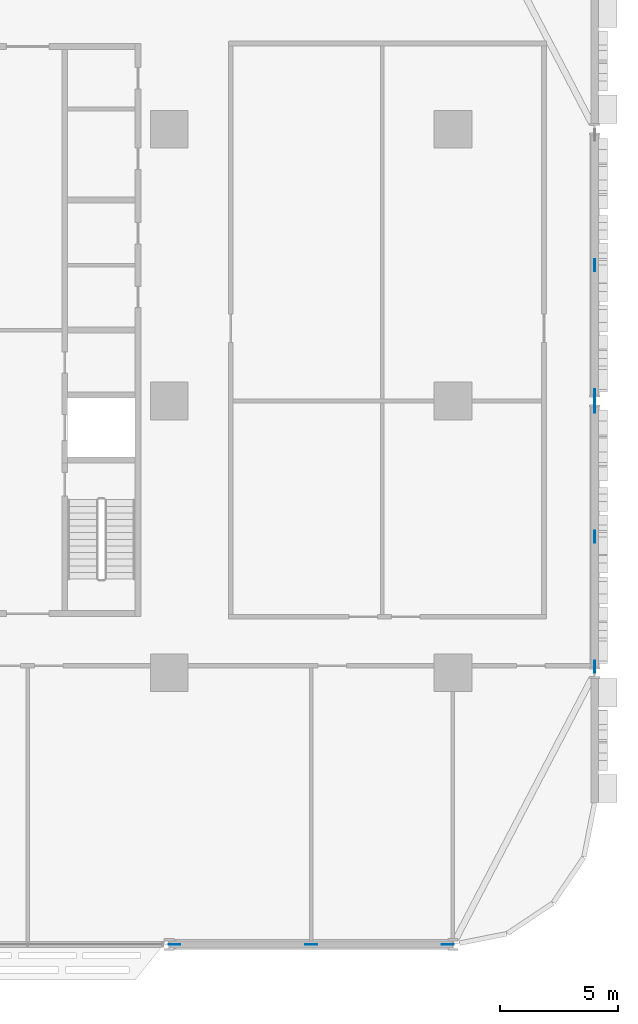
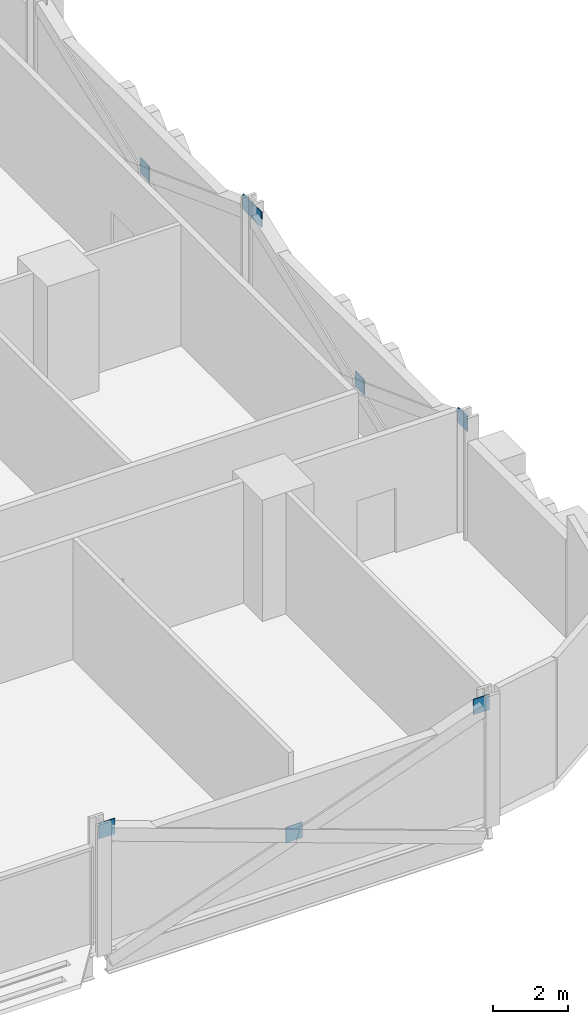
# One storey, part 21 of 29: 8 discrete accessories.
"""IFC4 building model written with IfcOpenShell, lengths in metres."""

from ifc_helpers import new_model, si_unit, direction, frame, origin, origin_2d, place, context, subcontext, project, spatial, rectangle, extrude, material, layer, layer_set, type_object, element, save


model = new_model("IFC4")

# Units and contexts
model_context = context("Model", 3, precision=1e-05, world=origin(), true_north=direction((0.0, 1.0)))
body_context = subcontext(model_context, "Body", "Model", "MODEL_VIEW")
ifc_project = project(units=[si_unit("LENGTHUNIT", "METRE"), si_unit("AREAUNIT", "SQUARE_METRE"), si_unit("VOLUMEUNIT", "CUBIC_METRE"), si_unit("PLANEANGLEUNIT", "RADIAN"), si_unit("MASSUNIT", "GRAM", prefix="KILO")], contexts=[model_context])

# Site, building, storey
site_placement = place(None, origin())
site = spatial("IfcSite", under=ifc_project, at=site_placement, CompositionType="ELEMENT")
building_placement = place(site_placement, origin())
building = spatial("IfcBuilding", under=site, at=building_placement, Name="Mahtab Terrace Research Tower", CompositionType="ELEMENT")
storey_placement = place(building_placement, frame((0.0, 0.0, 20.10009765625)))
storey = spatial("IfcBuildingStorey", under=building, at=storey_placement, Name="L04", CompositionType="ELEMENT", Elevation=20.10009765625)

# Discrete accessories
ifc_material = material(Name="Steel ASTM A992 Gr 50", Category="steel")
ifc_layer = layer(ifc_material, 0.030029296875)
ifc_layer_set = layer_set([ifc_layer], Name="Gusset plate 500x500x30")
discrete_accessory_type = type_object("IfcDiscreteAccessoryType", Name="Gusset plate 500x500x30", PredefinedType="USERDEFINED", material=ifc_layer_set)
for number, where, z_axis, x_axis, name in (
    (1, (30.2158203125, -23.0, 3.331298828125), (0.0, 0.0, 1.0), (1.0, 0.0, 0.0), "Gusset plate"),
    (2, (36.0, -23.0, 1.181396484375), (0.0, 0.0, 1.0), (1.0, 0.0, 0.0), "Gusset plate"),
    (3, (41.7841796875, -23.0, 3.331298828125), (0.0, 0.0, 1.0), (1.0, 0.0, 0.0), "Gusset plate"),
    (4, (48.0, -11.251220703125, 3.331298828125), (0.0, 0.0, 1.0), (0.0, 1.0, 0.0), "Gusset plate"),
    (5, (48.0, -5.75, 1.181396484375), (0.0, 0.0, 1.0), (0.0, 1.0, 0.0), "Gusset plate"),
    (6, (48.0, -0.248779296875, 3.331298828125), (0.0, 0.0, 1.0), (0.0, 1.0, 0.0), "Gusset plate"),
    (7, (48.0, 0.248779296875, 3.331298828125), (0.0, 0.0, 1.0), (0.0, 1.0, 0.0), "Gusset plate"),
    (8, (48.0, 5.75, 1.181396484375), (0.0, 0.0, 1.0), (0.0, 1.0, 0.0), "Gusset plate"),
):
    element("IfcDiscreteAccessory", number, at=place(storey_placement, frame(where, z_axis=z_axis, x_axis=x_axis)), inside=storey, type_object=discrete_accessory_type, Name=name, ObjectType="GUSSET PLATE", PredefinedType="USERDEFINED", context=body_context, shape_type="SweptSolid", body=[
        extrude(rectangle(XDim=0.5, YDim=0.030029296875, at=origin_2d()), origin(), (0.0, 0.0, 1.0), 0.5),
    ])

save(model, "model.ifc")
